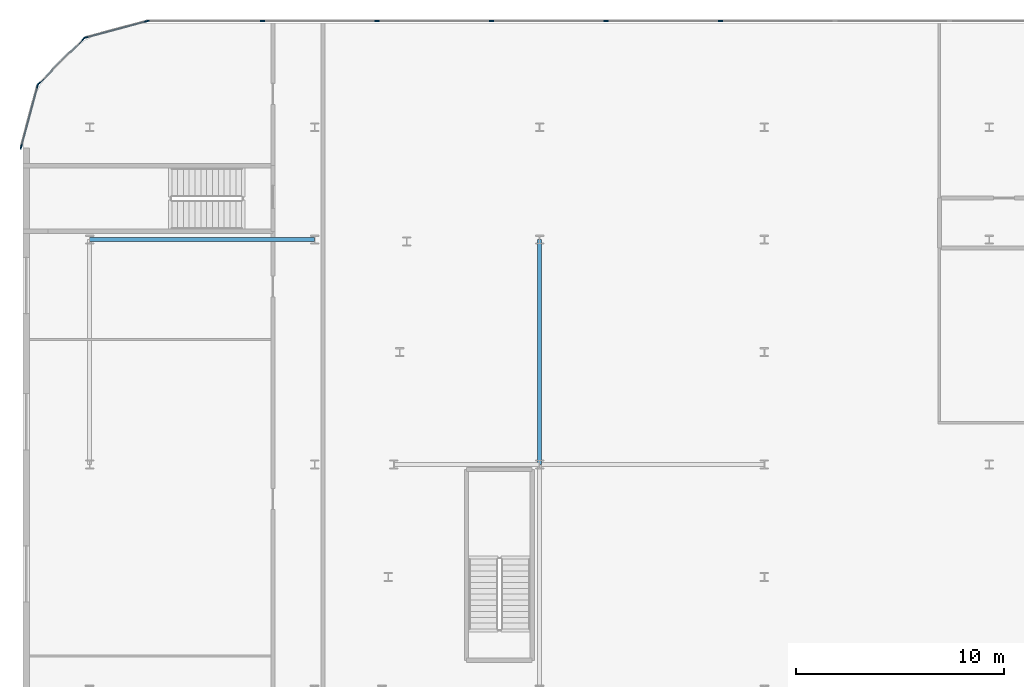
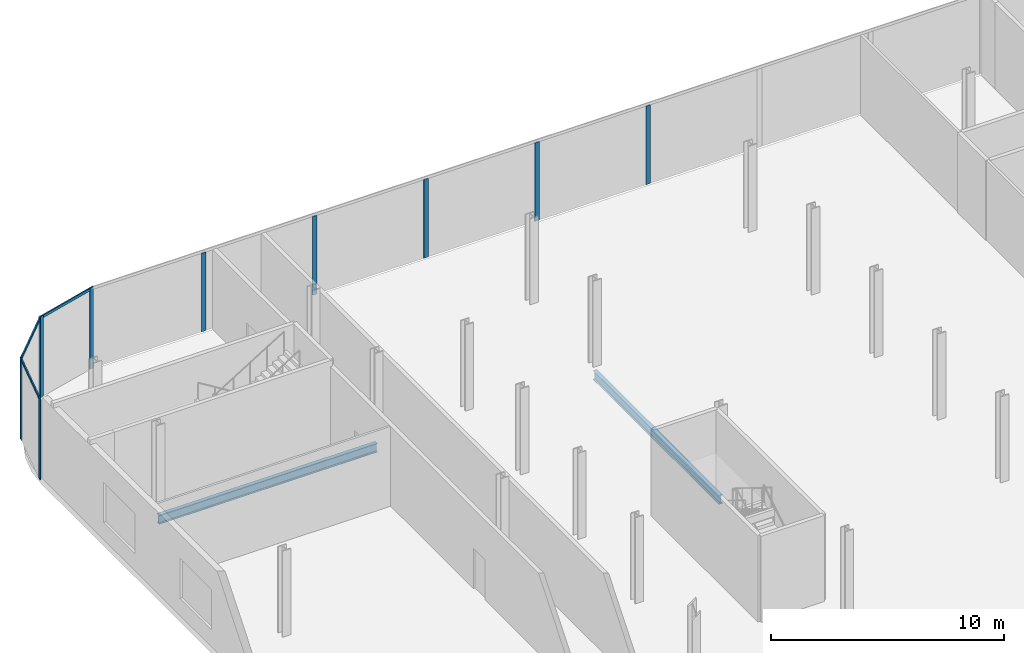
# One storey, part 16 of 47: 14 members, 2 beams, 4 elements without a shape of their own.
"""IFC4 building model written with IfcOpenShell, lengths in metres."""

from ifc_helpers import new_model, si_unit, direction, frame, origin, origin_2d, place, context, subcontext, project, spatial, rectangle, i_section, extrude, material, layer, layer_set, material_profile, profile_set, type_object, element, aggregate, save


model = new_model("IFC4")

# Units and contexts
model_context = context("Model", 3, precision=1e-05, world=origin(), true_north=direction((0.0, 1.0)))
body_context = subcontext(model_context, "Body", "Model", "MODEL_VIEW")
ifc_project = project(units=[si_unit("LENGTHUNIT", "METRE"), si_unit("AREAUNIT", "SQUARE_METRE"), si_unit("VOLUMEUNIT", "CUBIC_METRE"), si_unit("PLANEANGLEUNIT", "RADIAN"), si_unit("MASSUNIT", "GRAM", prefix="KILO")], contexts=[model_context])

# Site, building, storey
site_placement = place(None, origin())
site = spatial("IfcSite", under=ifc_project, at=site_placement, CompositionType="ELEMENT")
building_placement = place(site_placement, origin())
building = spatial("IfcBuilding", under=site, at=building_placement, Name="Kheshtan School and Residences Tower", CompositionType="ELEMENT")
storey_placement = place(building_placement, frame((0.0, 0.0, 17.0)))
storey = spatial("IfcBuildingStorey", under=building, at=storey_placement, Name="L03", CompositionType="ELEMENT", Elevation=17.0)

# Beams
ifc_material_1 = material(Name="Steel ASTM A992 Grade 50", Category="steel")
ifc_material_profile_1 = material_profile(ifc_material_1, i_section(OverallWidth=0.194091796875, OverallDepth=0.468994140625, WebThickness=0.0126953125, FlangeThickness=0.0205078125, FilletRadius=0.01416015625, at=origin_2d()), Name="W460x106")
ifc_profile_set_1 = profile_set([ifc_material_profile_1], Name="Steel ASTM A992 Grade 50")
beam_type = type_object("IfcBeamType", Name="Beam PB2 W460x106 ASTM A992 Grade 50", PredefinedType="BEAM", material=ifc_profile_set_1)
for number, where, z_axis, x_axis, name in (
    (1, (36.800048828125, 88.800048828125, -0.554443359375), (0.0, 1.0, 0.0), (-1.0, 0.0, 0.0), "Podium floor beam PB2"),
    (2, (15.199951171875, 99.60009765625, -0.554443359375), (1.0, 0.0, 0.0), (0.0, 1.0, 0.0), "Podium floor beam PB2"),
):
    element("IfcBeam", number, at=place(storey_placement, frame(where, z_axis=z_axis, x_axis=x_axis)), inside=storey, type_object=beam_type, Name=name, PredefinedType="BEAM", context=body_context, shape_type="SweptSolid", body=[
        extrude(i_section(OverallWidth=0.194091796875, OverallDepth=0.468994140625, WebThickness=0.0126953125, FlangeThickness=0.0205078125, FilletRadius=0.01416015625, at=origin_2d()), origin(), (0.0, 0.0, 1.0), 10.800048828125),
    ])

# Curtain wall, members
ifc_material_2 = material(Name="Clear low-e glass in thermally broken aluminium frame", Category="aluminium")
ifc_layer = layer(ifc_material_2, 0.22509765625)
ifc_layer_set = layer_set([ifc_layer], Name="Curtain wall CW-P")
curtain_wall_type = type_object("IfcCurtainWallType", Name="Curtain wall CW-P", PredefinedType="NOTDEFINED", material=ifc_layer_set)
curtain_wall_1_placement = place(storey_placement, origin())
curtain_wall_1 = element("IfcCurtainWall", 3, at=curtain_wall_1_placement, inside=storey, type_object=curtain_wall_type, Name="Curtain wall CWP1a", PredefinedType="NOTDEFINED")
ifc_material_3 = material(Name="Thermally broken aluminium, dark bronze anodised", Category="aluminium")
ifc_material_profile_2 = material_profile(ifc_material_3, rectangle(XDim=0.06005859375, YDim=0.22509765625, at=origin_2d()), Name="CW-P mullion 60x225")
ifc_profile_set_2 = profile_set([ifc_material_profile_2], Name="Thermally broken aluminium, dark bronze anodised")
member_type_1 = type_object("IfcMemberType", Name="CW-P mullion 60x225", PredefinedType="MULLION", material=ifc_profile_set_2)
member_1_placement = place(storey_placement, frame((11.9111328125, 104.054931640625, 0.0), z_axis=(0.0, 0.0, 1.0), x_axis=(-0.965913556273, 0.258864833085, 0.0)))
member_1 = element("IfcMember", 4, at=member_1_placement, type_object=member_type_1, Name="CWP1a mullion 1", PredefinedType="MULLION", context=body_context, shape_type="SweptSolid", body=[
    extrude(rectangle(XDim=0.06005859375, YDim=0.22509765625, at=origin_2d()), origin(), (0.0, 0.0, 1.0), 4.25),
])
member_2_placement = place(storey_placement, frame((12.69970703125, 106.996826171875, 0.0), z_axis=(0.0, 0.0, 1.0), x_axis=(-0.965913556273, 0.258864833085, 0.0)))
member_2 = element("IfcMember", 5, at=member_2_placement, type_object=member_type_1, Name="CWP1a mullion 2", PredefinedType="MULLION", context=body_context, shape_type="SweptSolid", body=[
    extrude(rectangle(XDim=0.06005859375, YDim=0.22509765625, at=origin_2d()), origin(), (0.0, 0.0, 1.0), 4.25),
])

curtain_wall_2_placement = place(storey_placement, origin())
curtain_wall_2 = element("IfcCurtainWall", 6, at=curtain_wall_2_placement, inside=storey, type_object=curtain_wall_type, Name="Curtain wall CWP2a", PredefinedType="NOTDEFINED")
member_3_placement = place(storey_placement, frame((12.75439453125, 107.092041015625, 0.0), z_axis=(0.0, 0.0, 1.0), x_axis=(-0.707106781187, 0.707106781187, 0.0)))
member_3 = element("IfcMember", 7, at=member_3_placement, type_object=member_type_1, Name="CWP2a mullion 1", PredefinedType="MULLION", context=body_context, shape_type="SweptSolid", body=[
    extrude(rectangle(XDim=0.06005859375, YDim=0.22509765625, at=origin_2d()), origin(), (0.0, 0.0, 1.0), 4.25),
])
member_4_placement = place(storey_placement, frame((14.907958984375, 109.24560546875, 0.0), z_axis=(0.0, 0.0, 1.0), x_axis=(-0.707106781187, 0.707106781187, 0.0)))
member_4 = element("IfcMember", 8, at=member_4_placement, type_object=member_type_1, Name="CWP2a mullion 2", PredefinedType="MULLION", context=body_context, shape_type="SweptSolid", body=[
    extrude(rectangle(XDim=0.06005859375, YDim=0.22509765625, at=origin_2d()), origin(), (0.0, 0.0, 1.0), 4.25),
])

curtain_wall_3_placement = place(storey_placement, origin())
curtain_wall_3 = element("IfcCurtainWall", 9, at=curtain_wall_3_placement, inside=storey, type_object=curtain_wall_type, Name="Curtain wall CWP3a", PredefinedType="NOTDEFINED")
member_5_placement = place(storey_placement, frame((15.003173828125, 109.30029296875, 0.0), z_axis=(0.0, 0.0, 1.0), x_axis=(-0.258864833085, 0.965913556273, 0.0)))
member_5 = element("IfcMember", 10, at=member_5_placement, type_object=member_type_1, Name="CWP3a mullion 1", PredefinedType="MULLION", context=body_context, shape_type="SweptSolid", body=[
    extrude(rectangle(XDim=0.06005859375, YDim=0.22509765625, at=origin_2d()), origin(), (0.0, 0.0, 1.0), 4.25),
])
member_6_placement = place(storey_placement, frame((17.945068359375, 110.0888671875, 0.0), z_axis=(0.0, 0.0, 1.0), x_axis=(-0.258864833085, 0.965913556273, 0.0)))
member_6 = element("IfcMember", 11, at=member_6_placement, type_object=member_type_1, Name="CWP3a mullion 2", PredefinedType="MULLION", context=body_context, shape_type="SweptSolid", body=[
    extrude(rectangle(XDim=0.06005859375, YDim=0.22509765625, at=origin_2d()), origin(), (0.0, 0.0, 1.0), 4.25),
])

curtain_wall_4_placement = place(storey_placement, origin())
curtain_wall_4 = element("IfcCurtainWall", 12, at=curtain_wall_4_placement, inside=storey, type_object=curtain_wall_type, Name="Curtain wall CWP4a", PredefinedType="NOTDEFINED")
member_7_placement = place(storey_placement, frame((23.498291015625, 110.10009765625, 0.0), z_axis=(0.0, 0.0, 1.0), x_axis=(0.0, 1.0, 0.0)))
member_7 = element("IfcMember", 13, at=member_7_placement, type_object=member_type_1, Name="CWP4a mullion 2", PredefinedType="MULLION", context=body_context, shape_type="SweptSolid", body=[
    extrude(rectangle(XDim=0.06005859375, YDim=0.22509765625, at=origin_2d()), origin(), (0.0, 0.0, 1.0), 4.110107421875),
])
member_8_placement = place(storey_placement, frame((28.996337890625, 110.10009765625, 0.0), z_axis=(0.0, 0.0, 1.0), x_axis=(0.0, 1.0, 0.0)))
member_8 = element("IfcMember", 14, at=member_8_placement, type_object=member_type_1, Name="CWP4a mullion 3", PredefinedType="MULLION", context=body_context, shape_type="SweptSolid", body=[
    extrude(rectangle(XDim=0.06005859375, YDim=0.22509765625, at=origin_2d()), origin(), (0.0, 0.0, 1.0), 4.110107421875),
])
member_9_placement = place(storey_placement, frame((34.49462890625, 110.10009765625, 0.0), z_axis=(0.0, 0.0, 1.0), x_axis=(0.0, 1.0, 0.0)))
member_9 = element("IfcMember", 15, at=member_9_placement, type_object=member_type_1, Name="CWP4a mullion 4", PredefinedType="MULLION", context=body_context, shape_type="SweptSolid", body=[
    extrude(rectangle(XDim=0.06005859375, YDim=0.22509765625, at=origin_2d()), origin(), (0.0, 0.0, 1.0), 4.110107421875),
])
member_10_placement = place(storey_placement, frame((39.99267578125, 110.10009765625, 0.0), z_axis=(0.0, 0.0, 1.0), x_axis=(0.0, 1.0, 0.0)))
member_10 = element("IfcMember", 16, at=member_10_placement, type_object=member_type_1, Name="CWP4a mullion 5", PredefinedType="MULLION", context=body_context, shape_type="SweptSolid", body=[
    extrude(rectangle(XDim=0.06005859375, YDim=0.22509765625, at=origin_2d()), origin(), (0.0, 0.0, 1.0), 4.110107421875),
])
member_11_placement = place(storey_placement, frame((45.490966796875, 110.10009765625, 0.0), z_axis=(0.0, 0.0, 1.0), x_axis=(0.0, 1.0, 0.0)))
member_11 = element("IfcMember", 17, at=member_11_placement, type_object=member_type_1, Name="CWP4a mullion 6", PredefinedType="MULLION", context=body_context, shape_type="SweptSolid", body=[
    extrude(rectangle(XDim=0.06005859375, YDim=0.22509765625, at=origin_2d()), origin(), (0.0, 0.0, 1.0), 4.110107421875),
])
aggregate(curtain_wall_4, [member_7, member_8, member_9, member_10, member_11])

# Member
ifc_material_profile_3 = material_profile(ifc_material_3, rectangle(XDim=0.06005859375, YDim=0.139892578125, at=origin_2d()), Name="CW-P transom 60x140")
ifc_profile_set_3 = profile_set([ifc_material_profile_3], Name="Thermally broken aluminium, dark bronze anodised")
member_type_2 = type_object("IfcMemberType", Name="CW-P transom 60x140", PredefinedType="USERDEFINED", material=ifc_profile_set_3)
member_12_placement = place(storey_placement, frame((11.9189453125, 104.083740234375, 4.179931640625), z_axis=(0.258853238275, 0.965916663607, 0.0), x_axis=(-0.965916663607, 0.258853238275, 0.0)))
member_12 = element("IfcMember", 18, at=member_12_placement, type_object=member_type_2, Name="CWP1a transom 1", ObjectType="TRANSOM", PredefinedType="USERDEFINED", context=body_context, shape_type="SweptSolid", body=[
    extrude(rectangle(XDim=0.06005859375, YDim=0.139892578125, at=origin_2d()), origin(), (0.0, 0.0, 1.0), 2.986083984375),
])

aggregate(curtain_wall_1, [member_1, member_2, member_12])

member_13_placement = place(storey_placement, frame((12.775634765625, 107.113037109375, 4.179931640625), z_axis=(0.707106781187, 0.707106781187, 0.0), x_axis=(-0.707106781187, 0.707106781187, 0.0)))
member_13 = element("IfcMember", 19, at=member_13_placement, type_object=member_type_2, Name="CWP2a transom 1", ObjectType="TRANSOM", PredefinedType="USERDEFINED", context=body_context, shape_type="SweptSolid", body=[
    extrude(rectangle(XDim=0.06005859375, YDim=0.139892578125, at=origin_2d()), origin(), (0.0, 0.0, 1.0), 2.98583984375),
])

aggregate(curtain_wall_2, [member_3, member_4, member_13])

member_14_placement = place(storey_placement, frame((15.031982421875, 109.30810546875, 4.179931640625), z_axis=(0.965916663607, 0.258853238275, 0.0), x_axis=(-0.258853238275, 0.965916663607, 0.0)))
member_14 = element("IfcMember", 20, at=member_14_placement, type_object=member_type_2, Name="CWP3a transom 1", ObjectType="TRANSOM", PredefinedType="USERDEFINED", context=body_context, shape_type="SweptSolid", body=[
    extrude(rectangle(XDim=0.06005859375, YDim=0.139892578125, at=origin_2d()), origin(), (0.0, 0.0, 1.0), 2.986083984375),
])

aggregate(curtain_wall_3, [member_5, member_6, member_14])

save(model, "model.ifc")
